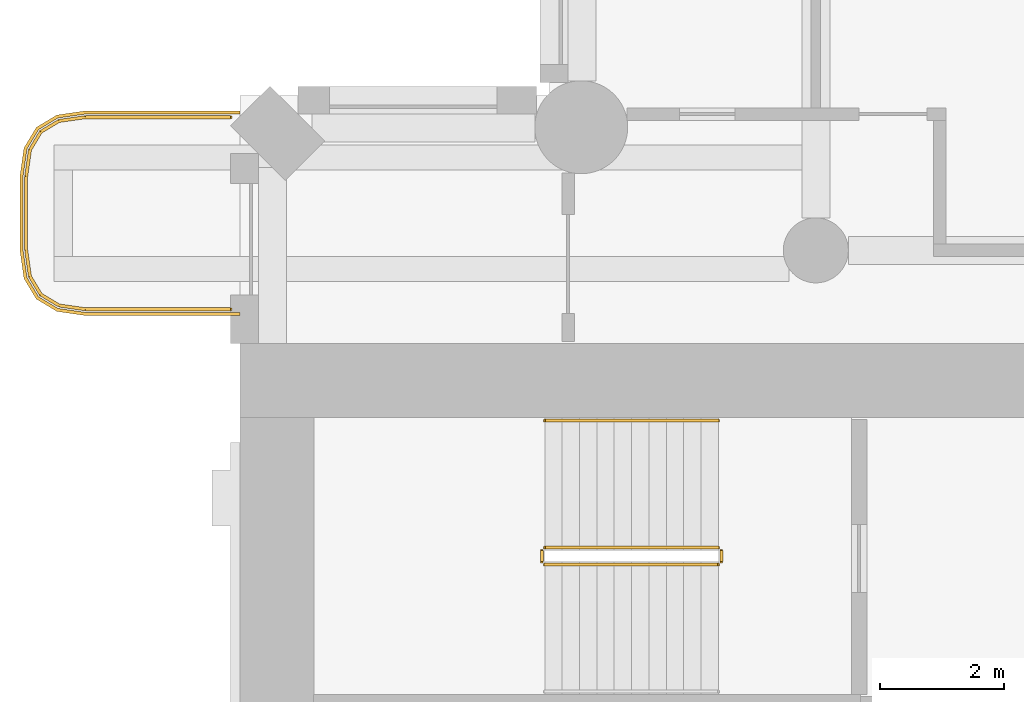
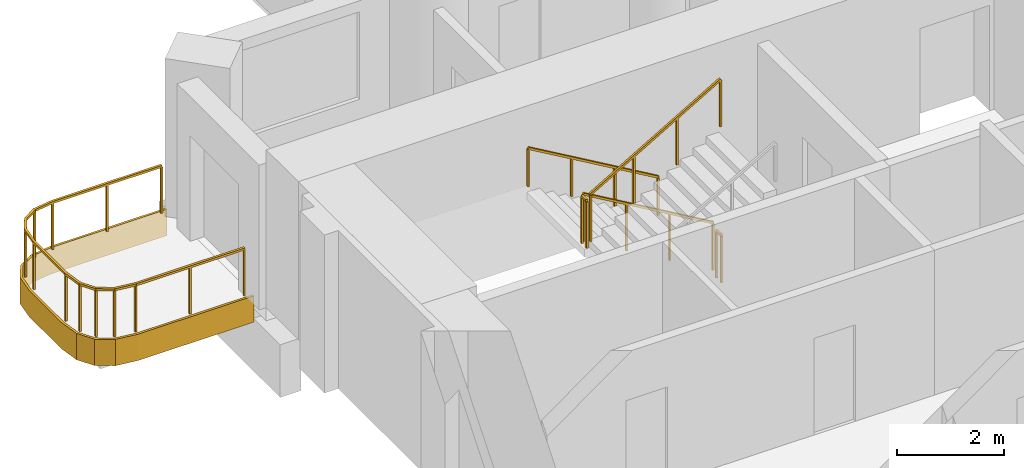
# One storey, part 17 of 20: 6 railings, 1 covering.
"""IFC4 building model written with IfcOpenShell, lengths in metres."""

from ifc_helpers import new_model, si_unit, direction, frame, origin, origin_2d, place, context, subcontext, project, spatial, polyline, rectangle, outline, extrude, material, layer, layer_set, type_object, element, save


model = new_model("IFC4")

# Units and contexts
model_context = context("Model", 3, precision=1e-05, world=origin(), true_north=direction((0.0, 1.0)))
body_context = subcontext(model_context, "Body", "Model", "MODEL_VIEW")
ifc_project = project(units=[si_unit("LENGTHUNIT", "METRE"), si_unit("AREAUNIT", "SQUARE_METRE"), si_unit("VOLUMEUNIT", "CUBIC_METRE"), si_unit("PLANEANGLEUNIT", "RADIAN"), si_unit("MASSUNIT", "GRAM", prefix="KILO")], contexts=[model_context])

# Site, building, storey
site_placement = place(None, origin())
site = spatial("IfcSite", under=ifc_project, at=site_placement, CompositionType="ELEMENT")
building_placement = place(site_placement, origin())
building = spatial("IfcBuilding", under=site, at=building_placement, Name="Cypress Arch Tower", CompositionType="ELEMENT")
storey_placement = place(building_placement, frame((0.0, 0.0, 134.699951171875)))
storey = spatial("IfcBuildingStorey", under=building, at=storey_placement, Name="L29", CompositionType="ELEMENT", Elevation=134.699951171875)

# Covering
ifc_material_1 = material(Name="White powder-coated aluminium fascia", Category="aluminium")
ifc_layer = layer(ifc_material_1, 0.050048828125)
ifc_layer_set = layer_set([ifc_layer], Name="Balcony fascia BF50")
covering_type = type_object("IfcCoveringType", Name="Balcony fascia BF50", PredefinedType="CLADDING", material=ifc_layer_set)
covering_placement = place(storey_placement, frame((0.0, 0.0, -0.599853515625)))
element("IfcCovering", 1, at=covering_placement, inside=storey, type_object=covering_type, Name="Balcony fascia L29-A00W0", PredefinedType="CLADDING", context=body_context, shape_type="SweptSolid", body=[
    extrude(outline(polyline([(-32.503662109375, 16.449951171875), (-32.95458984375, 16.514404296875), (-33.286376953125, 16.713623046875), (-33.485595703125, 17.04541015625), (-33.550048828125, 17.496337890625), (-33.550048828125, 18.70361328125), (-33.485595703125, 19.154541015625), (-33.286376953125, 19.486328125), (-32.95458984375, 19.685546875), (-32.503662109375, 19.75), (-30.0009765625, 19.75), (-30.0009765625, 19.699951171875), (-32.5, 19.699951171875), (-32.9375, 19.637451171875), (-33.25, 19.449951171875), (-33.4375, 19.137451171875), (-33.5, 18.699951171875), (-33.5, 17.5), (-33.4375, 17.0625), (-33.25, 16.75), (-32.9375, 16.5625), (-32.5, 16.5), (-30.0009765625, 16.5), (-30.0009765625, 16.449951171875), (-32.503662109375, 16.449951171875)])), origin(), (0.0, 0.0, 1.0), 0.599853515625),
])

# Railings
ifc_material_2 = material(Name="Powder-coated steel posts and rods, 100 mm clear between rods", Category="steel")
railing_type_1 = type_object("IfcRailingType", Name="Balcony guard GR1100", PredefinedType="GUARDRAIL", material=ifc_material_2)
railing_1_placement = place(storey_placement, frame((-30.14990234375, 16.550048828125, 0.0)))
element("IfcRailing", 2, at=railing_1_placement, inside=storey, type_object=railing_type_1, Name="Balcony guard L29-A00W0", PredefinedType="GUARDRAIL", context=body_context, shape_type="SweptSolid", body=[
    extrude(rectangle(XDim=0.050048828125, YDim=0.050048828125, at=origin_2d()), frame((0.0, 0.0, 1.0751953125), z_axis=(-1.0, 0.0, 0.0), x_axis=(0.0, -1.0, 0.0)), (0.0, 0.0, 1.0), 2.346435546875),
    extrude(rectangle(XDim=0.050048828125, YDim=0.050048828125, at=origin_2d()), frame((-2.346435546875, 0.0, 1.0751953125), z_axis=(-0.989960888959, 0.141341566184, 0.0), x_axis=(-0.141341566184, -0.989960888959, 0.0)), (0.0, 0.0, 1.0), 0.428466796875),
    extrude(rectangle(XDim=0.050048828125, YDim=0.050048828125, at=origin_2d()), frame((-2.7705078125, 0.060546875, 1.0751953125), z_axis=(-0.857681904839, 0.514180659021, 0.0), x_axis=(-0.514180659021, -0.857681904839, 0.0)), (0.0, 0.0, 1.0), 0.341796875),
    extrude(rectangle(XDim=0.050048828125, YDim=0.050048828125, at=origin_2d()), frame((-3.063720703125, 0.236328125, 1.0751953125), z_axis=(-0.514180659021, 0.857681904839, 0.0), x_axis=(-0.857681904839, -0.514180659021, 0.0)), (0.0, 0.0, 1.0), 0.341796875),
    extrude(rectangle(XDim=0.050048828125, YDim=0.050048828125, at=origin_2d()), frame((-3.239501953125, 0.529541015625, 1.0751953125), z_axis=(-0.141341566184, 0.989960888959, 0.0), x_axis=(-0.989960888959, -0.141341566184, 0.0)), (0.0, 0.0, 1.0), 0.428466796875),
    extrude(rectangle(XDim=0.050048828125, YDim=0.050048828125, at=origin_2d()), frame((-3.300048828125, 0.95361328125, 1.0751953125), z_axis=(0.0, 1.0, 0.0), x_axis=(-1.0, 0.0, 0.0)), (0.0, 0.0, 1.0), 1.19287109375),
    extrude(rectangle(XDim=0.050048828125, YDim=0.050048828125, at=origin_2d()), frame((-3.300048828125, 2.146484375, 1.0751953125), z_axis=(0.141421356237, 0.989949493661, 0.0), x_axis=(-0.989949493661, 0.141421356237, 0.0)), (0.0, 0.0, 1.0), 0.42822265625),
    extrude(rectangle(XDim=0.050048828125, YDim=0.050048828125, at=origin_2d()), frame((-3.239501953125, 2.5703125, 1.0751953125), z_axis=(0.514180659021, 0.857681904839, 0.0), x_axis=(-0.857681904839, 0.514180659021, 0.0)), (0.0, 0.0, 1.0), 0.341796875),
    extrude(rectangle(XDim=0.050048828125, YDim=0.050048828125, at=origin_2d()), frame((-3.063720703125, 2.863525390625, 1.0751953125), z_axis=(0.857681904839, 0.514180659021, 0.0), x_axis=(-0.514180659021, 0.857681904839, 0.0)), (0.0, 0.0, 1.0), 0.341796875),
    extrude(rectangle(XDim=0.050048828125, YDim=0.050048828125, at=origin_2d()), frame((-2.7705078125, 3.039306640625, 1.0751953125), z_axis=(0.989960888959, 0.141341566184, 0.0), x_axis=(-0.141341566184, 0.989960888959, 0.0)), (0.0, 0.0, 1.0), 0.428466796875),
    extrude(rectangle(XDim=0.050048828125, YDim=0.050048828125, at=origin_2d()), frame((-2.346435546875, 3.099853515625, 1.0751953125), z_axis=(1.0, 0.0, 0.0), x_axis=(0.0, 1.0, 0.0)), (0.0, 0.0, 1.0), 2.346435546875),
    extrude(rectangle(XDim=0.0400390625, YDim=0.0400390625, at=origin_2d()), origin(), (0.0, 0.0, 1.0), 1.050048828125),
    extrude(rectangle(XDim=0.0400390625, YDim=0.0400390625, at=origin_2d()), frame((-1.17333984375, 0.0, 0.0)), (0.0, 0.0, 1.0), 1.050048828125),
    extrude(rectangle(XDim=0.0400390625, YDim=0.0400390625, at=origin_2d()), frame((-2.346435546875, 0.0, 0.0)), (0.0, 0.0, 1.0), 1.050048828125),
    extrude(rectangle(XDim=0.0400390625, YDim=0.0400390625, at=origin_2d()), frame((-2.7705078125, 0.060546875, 0.0)), (0.0, 0.0, 1.0), 1.050048828125),
    extrude(rectangle(XDim=0.0400390625, YDim=0.0400390625, at=origin_2d()), frame((-3.063720703125, 0.236328125, 0.0)), (0.0, 0.0, 1.0), 1.050048828125),
    extrude(rectangle(XDim=0.0400390625, YDim=0.0400390625, at=origin_2d()), frame((-3.239501953125, 0.529541015625, 0.0)), (0.0, 0.0, 1.0), 1.050048828125),
    extrude(rectangle(XDim=0.0400390625, YDim=0.0400390625, at=origin_2d()), frame((-3.300048828125, 0.95361328125, 0.0)), (0.0, 0.0, 1.0), 1.050048828125),
    extrude(rectangle(XDim=0.0400390625, YDim=0.0400390625, at=origin_2d()), frame((-3.300048828125, 2.146484375, 0.0)), (0.0, 0.0, 1.0), 1.050048828125),
    extrude(rectangle(XDim=0.0400390625, YDim=0.0400390625, at=origin_2d()), frame((-3.239501953125, 2.5703125, 0.0)), (0.0, 0.0, 1.0), 1.050048828125),
    extrude(rectangle(XDim=0.0400390625, YDim=0.0400390625, at=origin_2d()), frame((-3.063720703125, 2.863525390625, 0.0)), (0.0, 0.0, 1.0), 1.050048828125),
    extrude(rectangle(XDim=0.0400390625, YDim=0.0400390625, at=origin_2d()), frame((-2.7705078125, 3.039306640625, 0.0)), (0.0, 0.0, 1.0), 1.050048828125),
    extrude(rectangle(XDim=0.0400390625, YDim=0.0400390625, at=origin_2d()), frame((-2.346435546875, 3.099853515625, 0.0)), (0.0, 0.0, 1.0), 1.050048828125),
    extrude(rectangle(XDim=0.0400390625, YDim=0.0400390625, at=origin_2d()), frame((-1.17333984375, 3.099853515625, 0.0)), (0.0, 0.0, 1.0), 1.050048828125),
    extrude(rectangle(XDim=0.0400390625, YDim=0.0400390625, at=origin_2d()), frame((0.0, 3.099853515625, 0.0)), (0.0, 0.0, 1.0), 1.050048828125),
])
ifc_material_3 = material(Name="Black powder-coated steel square bar 48 mm", Category="steel")
railing_type_2 = type_object("IfcRailingType", Name="Stair handrail HR1", PredefinedType="HANDRAIL", material=ifc_material_3)
railing_2_placement = place(storey_placement, frame((-22.27490234375, 14.75, 0.16357421875)))
element("IfcRailing", 3, at=railing_2_placement, inside=storey, type_object=railing_type_2, Name="L29 B stair handrail 1", PredefinedType="HANDRAIL", context=body_context, shape_type="SweptSolid", body=[
    extrude(rectangle(XDim=0.048095703125, YDim=0.048095703125, at=origin_2d()), frame((0.0, 0.0, 0.8759765625), z_axis=(-0.863360870873, 0.0, 0.504586966384), x_axis=(0.0, -1.0, 0.0)), (0.0, 0.0, 1.0), 3.2431640625),
    extrude(rectangle(XDim=0.0419921875, YDim=0.0419921875, at=origin_2d()), origin(), (0.0, 0.0, 1.0), 0.851806640625),
    extrude(rectangle(XDim=0.0419921875, YDim=0.0419921875, at=origin_2d()), frame((-0.933349609375, 0.0, 0.54541015625)), (0.0, 0.0, 1.0), 0.851806640625),
    extrude(rectangle(XDim=0.0419921875, YDim=0.0419921875, at=origin_2d()), frame((-1.86669921875, 0.0, 1.091064453125)), (0.0, 0.0, 1.0), 0.851806640625),
    extrude(rectangle(XDim=0.0419921875, YDim=0.0419921875, at=origin_2d()), frame((-2.800048828125, 0.0, 1.636474609375)), (0.0, 0.0, 1.0), 0.851806640625),
])
ifc_material_4 = material(Name="Black powder-coated steel balusters", Category="steel")
railing_type_3 = type_object("IfcRailingType", Name="Stair well guard G1", PredefinedType="GUARDRAIL", material=ifc_material_4)
railing_3_placement = place(storey_placement, frame((-22.27490234375, 12.699951171875, 0.16357421875)))
element("IfcRailing", 4, at=railing_3_placement, inside=storey, type_object=railing_type_3, Name="L29 B stair guard 1", PredefinedType="GUARDRAIL", context=body_context, shape_type="SweptSolid", body=[
    extrude(rectangle(XDim=0.048095703125, YDim=0.048095703125, at=origin_2d()), frame((0.0, 0.0, 1.076171875), z_axis=(-0.863360870873, 0.0, 0.504586966384), x_axis=(0.0, -1.0, 0.0)), (0.0, 0.0, 1.0), 3.2431640625),
    extrude(rectangle(XDim=0.0419921875, YDim=0.0419921875, at=origin_2d()), origin(), (0.0, 0.0, 1.0), 1.052001953125),
    extrude(rectangle(XDim=0.0419921875, YDim=0.0419921875, at=origin_2d()), frame((-0.933349609375, 0.0, 0.54541015625)), (0.0, 0.0, 1.0), 1.052001953125),
    extrude(rectangle(XDim=0.0419921875, YDim=0.0419921875, at=origin_2d()), frame((-1.86669921875, 0.0, 1.091064453125)), (0.0, 0.0, 1.0), 1.052001953125),
    extrude(rectangle(XDim=0.0419921875, YDim=0.0419921875, at=origin_2d()), frame((-2.800048828125, 0.0, 1.636474609375)), (0.0, 0.0, 1.0), 1.052001953125),
])
railing_4_placement = place(storey_placement, frame((-25.125, 12.64990234375, 1.800048828125)))
element("IfcRailing", 5, at=railing_4_placement, inside=storey, type_object=railing_type_3, Name="L29 B stair guard 2", PredefinedType="GUARDRAIL", context=body_context, shape_type="SweptSolid", body=[
    extrude(rectangle(XDim=0.048095703125, YDim=0.048095703125, at=origin_2d()), frame((0.0, 0.0, 1.076171875), z_axis=(0.0, -1.0, 0.0), x_axis=(1.0, 0.0, 0.0)), (0.0, 0.0, 1.0), 0.1748046875),
    extrude(rectangle(XDim=0.0419921875, YDim=0.0419921875, at=origin_2d()), origin(), (0.0, 0.0, 1.0), 1.052001953125),
    extrude(rectangle(XDim=0.0419921875, YDim=0.0419921875, at=origin_2d()), frame((0.0, -0.1748046875, 0.0)), (0.0, 0.0, 1.0), 1.052001953125),
])
railing_5_placement = place(storey_placement, frame((-25.074951171875, 12.425048828125, 1.963623046875)))
element("IfcRailing", 6, at=railing_5_placement, inside=storey, type_object=railing_type_3, Name="L29 B stair guard 3", PredefinedType="GUARDRAIL", context=body_context, shape_type="SweptSolid", body=[
    extrude(rectangle(XDim=0.048095703125, YDim=0.048095703125, at=origin_2d()), frame((0.0, 0.0, 1.076171875), z_axis=(0.863360870873, 0.0, 0.504586966384), x_axis=(0.0, 1.0, 0.0)), (0.0, 0.0, 1.0), 3.2431640625),
    extrude(rectangle(XDim=0.0419921875, YDim=0.0419921875, at=origin_2d()), origin(), (0.0, 0.0, 1.0), 1.052001953125),
    extrude(rectangle(XDim=0.0419921875, YDim=0.0419921875, at=origin_2d()), frame((0.933349609375, 0.0, 0.54541015625)), (0.0, 0.0, 1.0), 1.052001953125),
    extrude(rectangle(XDim=0.0419921875, YDim=0.0419921875, at=origin_2d()), frame((1.86669921875, 0.0, 1.091064453125)), (0.0, 0.0, 1.0), 1.052001953125),
    extrude(rectangle(XDim=0.0419921875, YDim=0.0419921875, at=origin_2d()), frame((2.800048828125, 0.0, 1.636474609375)), (0.0, 0.0, 1.0), 1.052001953125),
])
railing_6_placement = place(storey_placement, frame((-22.22509765625, 12.64990234375, 0.0)))
element("IfcRailing", 7, at=railing_6_placement, inside=storey, type_object=railing_type_3, Name="L29 B stair guard 4", PredefinedType="GUARDRAIL", context=body_context, shape_type="SweptSolid", body=[
    extrude(rectangle(XDim=0.048095703125, YDim=0.048095703125, at=origin_2d()), frame((0.0, 0.0, 1.076171875), z_axis=(0.0, -1.0, 0.0), x_axis=(1.0, 0.0, 0.0)), (0.0, 0.0, 1.0), 0.1748046875),
    extrude(rectangle(XDim=0.0419921875, YDim=0.0419921875, at=origin_2d()), origin(), (0.0, 0.0, 1.0), 1.052001953125),
    extrude(rectangle(XDim=0.0419921875, YDim=0.0419921875, at=origin_2d()), frame((0.0, -0.1748046875, 0.0)), (0.0, 0.0, 1.0), 1.052001953125),
])

save(model, "model.ifc")
